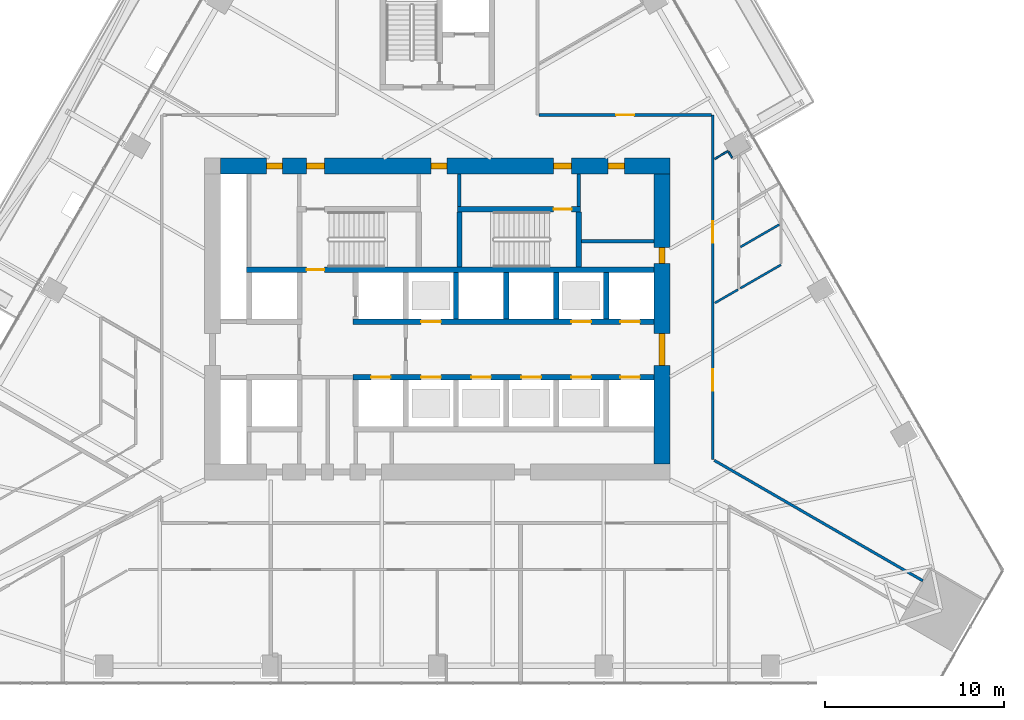
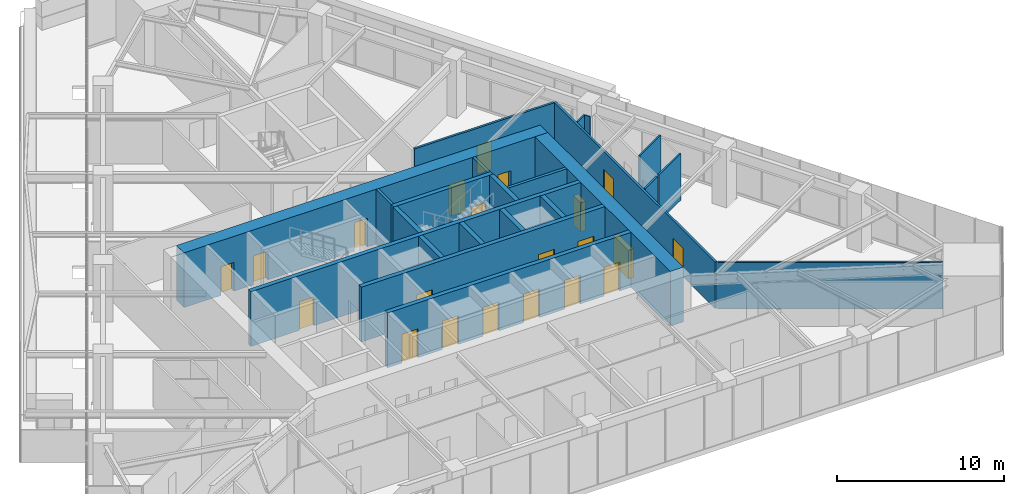
# One storey, part 20 of 26: 23 walls, 21 doors, 21 openings.
"""IFC4 building model written with IfcOpenShell, lengths in metres."""

import ifcopenshell
import ifcopenshell.guid

model = None  # the IFC model being written
_history = None  # IfcOwnerHistory: only IFC2X3 demands one
_inside = {}  # id of a spatial element -> (the spatial element, [elements in it])
_under = {}  # id of a project, library or spatial element -> (it, [spatial elements below it])
_declared = {}  # id of a project -> (the project, [libraries it declares])
_typed = {}  # id of a type object -> (the type object, [elements of that type])
_made_of = {}  # id of a material, layer set ... -> (it, [elements and type objects made of it])


def new_model(schema):
    """Start an empty IFC model of exactly this schema.

    Asked for "IFC4X3", IfcOpenShell would pick the latest addendum, in which some entities
    have other attributes; the version numbers below select the first issue.
    IFC2X3 requires an IfcOwnerHistory on every rooted entity: one is made here for all.
    """
    global model, _history
    if schema == "IFC4X3":
        model = ifcopenshell.file(schema_version=(4, 3, 0, 0))
    else:
        model = ifcopenshell.file(schema=schema)
    _inside.clear()
    _under.clear()
    _declared.clear()
    _typed.clear()
    _made_of.clear()
    _history = None
    if model.schema == "IFC2X3":
        org = make("IfcOrganization", Name="unknown")
        user = make(
            "IfcPersonAndOrganization",
            ThePerson=make("IfcPerson", FamilyName="unknown"),
            TheOrganization=org,
        )
        app = make(
            "IfcApplication",
            ApplicationDeveloper=org,
            Version="unknown",
            ApplicationFullName="unknown",
            ApplicationIdentifier="unknown",
        )
        _history = make(
            "IfcOwnerHistory",
            OwningUser=user,
            OwningApplication=app,
            ChangeAction="ADDED",
            CreationDate=0,
        )
    return model


def make(cls, **values):
    """One entity of the class cls with the attributes given. An attribute that is None is left unset."""
    return model.create_entity(
        cls, **{name: value for name, value in values.items() if value is not None}
    )


def rooted(cls, **values):
    """An entity with a GlobalId (a new one), such as an element, a storey or a relation."""
    return make(cls, GlobalId=ifcopenshell.guid.new(), OwnerHistory=_history, **values)


def si_unit(unit_type, name, prefix=None):
    """IfcSIUnit, for example si_unit("LENGTHUNIT", "METRE", prefix="MILLI")."""
    return make("IfcSIUnit", UnitType=unit_type, Prefix=prefix, Name=name)


def assignment(units):
    """IfcUnitAssignment: the units of a project."""
    return None if units is None else make("IfcUnitAssignment", Units=units)


def point(xyz):
    """IfcCartesianPoint."""
    return None if xyz is None else make("IfcCartesianPoint", Coordinates=xyz)


def direction(xyz):
    """IfcDirection."""
    return None if xyz is None else make("IfcDirection", DirectionRatios=xyz)


def frame(location, z_axis=None, x_axis=None):
    """IfcAxis2Placement3D, a coordinate frame: its origin and axes. An axis left out is left unset."""
    return make(
        "IfcAxis2Placement3D",
        Location=point(location),
        Axis=direction(z_axis),
        RefDirection=direction(x_axis),
    )


def frame_2d(location, x_axis=None):
    """IfcAxis2Placement2D, a coordinate frame in the plane: its origin and x axis."""
    return make(
        "IfcAxis2Placement2D", Location=point(location), RefDirection=direction(x_axis)
    )


def origin():
    """The frame at (0, 0, 0) with its axes left unset."""
    return frame((0.0, 0.0, 0.0))


def place(relative_to, where):
    """IfcLocalPlacement: puts the frame where relative to a parent placement (None: the world)."""
    return make(
        "IfcLocalPlacement", PlacementRelTo=relative_to, RelativePlacement=where
    )


def context(
    kind, dimensions, precision=None, world=None, true_north=None, identifier=None
):
    """IfcGeometricRepresentationContext, for example the 3D "Model" context."""
    return make(
        "IfcGeometricRepresentationContext",
        ContextIdentifier=identifier,
        ContextType=kind,
        CoordinateSpaceDimension=dimensions,
        Precision=precision,
        WorldCoordinateSystem=world,
        TrueNorth=true_north,
    )


def subcontext(parent, identifier, kind, view, scale=None):
    """IfcGeometricRepresentationSubContext, for example "Body" below "Model"."""
    return make(
        "IfcGeometricRepresentationSubContext",
        ContextIdentifier=identifier,
        ContextType=kind,
        ParentContext=parent,
        TargetScale=scale,
        TargetView=view,
    )


def project(units=None, contexts=None):
    """IfcProject with its units and contexts."""
    return rooted(
        "IfcProject",
        Name="project",
        RepresentationContexts=contexts,
        UnitsInContext=assignment(units),
    )


def spatial(cls, under=None, at=None, **own):
    """A site, building, storey or space (cls), placed at a placement, below another one or the project."""
    s = rooted(cls, ObjectPlacement=at, **own)
    if under is not None:
        _under.setdefault(under.id(), (under, []))[1].append(s)
    return s


def profile(cls, at=None, kind="AREA", **sizes):
    """A parametric profile (cls). Its sizes go by their IFC names, for example OverallWidth=200.0."""
    return make(cls, ProfileType=kind, Position=at, **sizes)


def rectangle(**sizes):
    """IfcRectangleProfileDef."""
    return profile("IfcRectangleProfileDef", **sizes)


def extrude(swept, where, along, depth):
    """IfcExtrudedAreaSolid: the profile swept, set in the frame where, extruded along a direction by depth."""
    return make(
        "IfcExtrudedAreaSolid",
        SweptArea=swept,
        Position=where,
        ExtrudedDirection=direction(along),
        Depth=depth,
    )


def shape(context_of_items, identifier, shape_type, items):
    """IfcShapeRepresentation: the items that make up one representation, for example the "Body"."""
    return make(
        "IfcShapeRepresentation",
        ContextOfItems=context_of_items,
        RepresentationIdentifier=identifier,
        RepresentationType=shape_type,
        Items=items,
    )


def material(Name=None, Category=None):
    """IfcMaterial."""
    return make("IfcMaterial", Name=Name, Category=Category)


def layer(
    of_material, thickness, ventilated=None, Name=None, Category=None, Priority=None
):
    """IfcMaterialLayer: one layer of a wall or slab, of a material (None: an air gap)."""
    return make(
        "IfcMaterialLayer",
        Material=of_material,
        LayerThickness=thickness,
        IsVentilated=ventilated,
        Name=Name,
        Category=Category,
        Priority=Priority,
    )


def layer_set(layers, Name=None):
    """IfcMaterialLayerSet."""
    return make("IfcMaterialLayerSet", MaterialLayers=layers, LayerSetName=Name)


def made_of(thing, what):
    """Note that an element or type object is made of a material, layer set ...; save() writes the relation."""
    if what is not None:
        _made_of.setdefault(what.id(), (what, []))[1].append(thing)
    return thing


def type_object(cls, material=None, **own):
    """A type object (cls), such as IfcWallType, which elements share."""
    return made_of(rooted(cls, **own), material)


def element(
    cls,
    number,
    at=None,
    inside=None,
    cuts=None,
    type_object=None,
    material=None,
    context=None,
    identifier="Body",
    shape_type=None,
    held_by="IfcProductDefinitionShape",
    body=None,
    shapes=None,
    **own,
):
    """One element of the class cls, such as IfcWall. Its Tag is "e" and its number.

    at: its placement. inside: the storey or other place that contains it. cuts: it is an
    opening in that element (IfcRelVoidsElement). A single representation is given by context,
    identifier, shape_type and body (its items); several are given by shapes. held_by: the class
    of the entity that holds the representations. save() writes the other relations.
    """
    e = rooted(cls, Tag="e%d" % number, ObjectPlacement=at, **own)
    if body is not None:
        shapes = [shape(context, identifier, shape_type, body)]
    if shapes is not None:
        e.Representation = make(held_by, Representations=shapes)
    if inside is not None:
        _inside.setdefault(inside.id(), (inside, []))[1].append(e)
    if cuts is not None:
        rooted(
            "IfcRelVoidsElement", RelatingBuildingElement=cuts, RelatedOpeningElement=e
        )
    if type_object is not None:
        _typed.setdefault(type_object.id(), (type_object, []))[1].append(e)
    return made_of(e, material)


def fill(opening, filler):
    """IfcRelFillsElement: the door or window that sits in an opening."""
    return rooted(
        "IfcRelFillsElement",
        RelatingOpeningElement=opening,
        RelatedBuildingElement=filler,
    )


def aggregate(whole, parts):
    """IfcRelAggregates: a whole, such as a stair, and the parts it consists of."""
    return rooted("IfcRelAggregates", RelatingObject=whole, RelatedObjects=parts)


def save(model, path):
    """Write the relations noted so far, then the file.

    IfcRelAggregates (storeys below a building ...), IfcRelContainedInSpatialStructure (elements
    in a storey), IfcRelDefinesByType, IfcRelAssociatesMaterial and IfcRelDeclares: one each for
    every whole, place, type object, material and project.
    """
    for whole, parts in _under.values():
        aggregate(whole, parts)
    for where, things in _inside.values():
        rooted(
            "IfcRelContainedInSpatialStructure",
            RelatedElements=things,
            RelatingStructure=where,
        )
    for kind, things in _typed.values():
        rooted("IfcRelDefinesByType", RelatedObjects=things, RelatingType=kind)
    for what, things in _made_of.values():
        rooted("IfcRelAssociatesMaterial", RelatedObjects=things, RelatingMaterial=what)
    for by, libraries in _declared.values():
        rooted("IfcRelDeclares", RelatingContext=by, RelatedDefinitions=libraries)
    model.write(path)


model = new_model("IFC4")

# Units and contexts
model_context = context("Model", 3, precision=1e-05, world=origin(), true_north=direction((0.0, 1.0)))
body_context = subcontext(model_context, "Body", "Model", "MODEL_VIEW")
ifc_project = project(units=[si_unit("LENGTHUNIT", "METRE"), si_unit("AREAUNIT", "SQUARE_METRE"), si_unit("VOLUMEUNIT", "CUBIC_METRE"), si_unit("PLANEANGLEUNIT", "RADIAN"), si_unit("MASSUNIT", "GRAM", prefix="KILO")], contexts=[model_context])

# Site, building, storey
site_placement = place(None, origin())
site = spatial("IfcSite", under=ifc_project, at=site_placement, CompositionType="ELEMENT")
building_placement = place(site_placement, origin())
building = spatial("IfcBuilding", under=site, at=building_placement, Name="Firuza Gate Tower and Library", CompositionType="ELEMENT")
storey_placement = place(building_placement, frame((0.0, 0.0, 115.60009765625)))
storey = spatial("IfcBuildingStorey", under=building, at=storey_placement, Name="L26", CompositionType="ELEMENT", Elevation=115.60009765625)

# Walls
ifc_material_1 = material(Name="Plasterboard on steel studs", Category="steel")
ifc_layer_1 = layer(ifc_material_1, 0.199951171875)
ifc_layer_set_1 = layer_set([ifc_layer_1], Name="Core partition 200 EI 60")
wall_type_1 = type_object("IfcWallType", Name="Core partition 200 EI 60", PredefinedType="PARTITIONING", material=ifc_layer_set_1)
wall_1_placement = place(storey_placement, frame((83.050048828125, 79.35498046875, 0.0), z_axis=(0.0, 0.0, 1.0), x_axis=(1.0, 0.0, 0.0)))
element("IfcWall", 1, at=wall_1_placement, inside=storey, type_object=wall_type_1, Name="Core partition L26 4", PredefinedType="PARTITIONING", context=body_context, shape_type="SweptSolid", body=[
    extrude(rectangle(XDim=4.050048828125, YDim=0.199951171875, at=frame_2d((2.02490234375, 0.0))), origin(), (0.0, 0.0, 1.0), 4.0),
])
for number, where, z_axis, x_axis, name in (
    (2, (76.239990234375, 81.280029296875, 0.0), (0.0, 0.0, 1.0), (0.0, 1.0, 0.0), "Core partition L26 15"),
    (3, (82.89990234375, 81.280029296875, 0.0), (0.0, 0.0, 1.0), (0.0, 1.0, 0.0), "Core partition L26 16"),
):
    element("IfcWall", number, at=place(storey_placement, frame(where, z_axis=z_axis, x_axis=x_axis)), inside=storey, type_object=wall_type_1, Name=name, PredefinedType="PARTITIONING", context=body_context, shape_type="SweptSolid", body=[
        extrude(rectangle(XDim=1.820068359375, YDim=0.199951171875, at=frame_2d((0.91015625, 0.0))), origin(), (0.0, 0.0, 1.0), 4.0),
    ])

# Wall, openings, doors
ifc_material_2 = material(Name="Concrete C80/95", Category="concrete")
ifc_layer_2 = layer(ifc_material_2, 0.300048828125)
ifc_layer_set_2 = layer_set([ifc_layer_2], Name="Core wall 300 C80/95")
wall_type_2 = type_object("IfcWallType", Name="Core wall 300 C80/95", PredefinedType="SHEAR", material=ifc_layer_set_2)
wall_2_placement = place(storey_placement, frame((70.300048828125, 71.75, 0.0), z_axis=(0.0, 0.0, 1.0), x_axis=(1.0, 0.0, 0.0)))
wall_2 = element("IfcWall", 4, at=wall_2_placement, inside=storey, type_object=wall_type_2, Name="Core wall L26 8", PredefinedType="SHEAR", context=body_context, shape_type="SweptSolid", body=[
    extrude(rectangle(XDim=16.800048828125, YDim=0.300048828125, at=frame_2d((8.39990234375, 0.0))), origin(), (0.0, 0.0, 1.0), 4.0),
])
opening_1_placement = place(wall_2_placement, frame((1.0, 0.0, 0.0)))
opening_1 = element("IfcOpeningElement", 5, at=opening_1_placement, cuts=wall_2, Name="Opening LD-FF1-L26", PredefinedType="OPENING", context=body_context, shape_type="SweptSolid", body=[
    extrude(rectangle(XDim=1.10009765625, YDim=2.10009765625, at=frame_2d((0.550048828125, 1.050048828125))), frame((0.0, 0.16015625, 0.0), z_axis=(0.0, -1.0, 0.0), x_axis=(1.0, 0.0, 0.0)), (0.0, 0.0, 1.0), 0.320068359375),
])
opening_2_placement = place(wall_2_placement, frame((3.800048828125, 0.0, 0.0)))
opening_2 = element("IfcOpeningElement", 6, at=opening_2_placement, cuts=wall_2, Name="Opening LD-LR1-L26", PredefinedType="OPENING", context=body_context, shape_type="SweptSolid", body=[
    extrude(rectangle(XDim=1.10009765625, YDim=2.10009765625, at=frame_2d((0.550048828125, 1.050048828125))), frame((0.0, 0.16015625, 0.0), z_axis=(0.0, -1.0, 0.0), x_axis=(1.0, 0.0, 0.0)), (0.0, 0.0, 1.0), 0.320068359375),
])
opening_3_placement = place(wall_2_placement, frame((6.60009765625, 0.0, 0.0)))
opening_3 = element("IfcOpeningElement", 7, at=opening_3_placement, cuts=wall_2, Name="Opening LD-LR2-L26", PredefinedType="OPENING", context=body_context, shape_type="SweptSolid", body=[
    extrude(rectangle(XDim=1.10009765625, YDim=2.10009765625, at=frame_2d((0.550048828125, 1.050048828125))), frame((0.0, 0.16015625, 0.0), z_axis=(0.0, -1.0, 0.0), x_axis=(1.0, 0.0, 0.0)), (0.0, 0.0, 1.0), 0.320068359375),
])
opening_4_placement = place(wall_2_placement, frame((9.39990234375, 0.0, 0.0)))
opening_4 = element("IfcOpeningElement", 8, at=opening_4_placement, cuts=wall_2, Name="Opening LD-LR3-L26", PredefinedType="OPENING", context=body_context, shape_type="SweptSolid", body=[
    extrude(rectangle(XDim=1.10009765625, YDim=2.10009765625, at=frame_2d((0.550048828125, 1.050048828125))), frame((0.0, 0.16015625, 0.0), z_axis=(0.0, -1.0, 0.0), x_axis=(1.0, 0.0, 0.0)), (0.0, 0.0, 1.0), 0.320068359375),
])
opening_5_placement = place(wall_2_placement, frame((12.199951171875, 0.0, 0.0)))
opening_5 = element("IfcOpeningElement", 9, at=opening_5_placement, cuts=wall_2, Name="Opening LD-LR5-L26", PredefinedType="OPENING", context=body_context, shape_type="SweptSolid", body=[
    extrude(rectangle(XDim=1.10009765625, YDim=2.10009765625, at=frame_2d((0.550048828125, 1.050048828125))), frame((0.0, 0.16015625, 0.0), z_axis=(0.0, -1.0, 0.0), x_axis=(1.0, 0.0, 0.0)), (0.0, 0.0, 1.0), 0.320068359375),
])
opening_6_placement = place(wall_2_placement, frame((14.925048828125, 0.0, 0.0)))
opening_6 = element("IfcOpeningElement", 10, at=opening_6_placement, cuts=wall_2, Name="Opening LD-LR7-L26", PredefinedType="OPENING", context=body_context, shape_type="SweptSolid", body=[
    extrude(rectangle(XDim=1.10009765625, YDim=2.10009765625, at=frame_2d((0.550048828125, 1.050048828125))), frame((0.0, 0.16015625, 0.0), z_axis=(0.0, -1.0, 0.0), x_axis=(1.0, 0.0, 0.0)), (0.0, 0.0, 1.0), 0.320068359375),
])
ifc_material_3 = material(Name="Stainless steel", Category="steel")
door_type_1 = type_object("IfcDoorType", Name="Lift landing door 1100x2100", OperationType="DOUBLE_DOOR_SLIDING", PredefinedType="DOOR", material=ifc_material_3)
door_1_placement = place(opening_1_placement, origin())
door_1 = element("IfcDoor", 11, at=door_1_placement, inside=storey, type_object=door_type_1, Name="Landing door FF1 L26", OperationType="DOUBLE_DOOR_SLIDING", OverallHeight=2.10009765625, OverallWidth=1.10009765625, PredefinedType="DOOR", context=body_context, shape_type="SweptSolid", body=[
    extrude(rectangle(XDim=1.10009765625, YDim=2.10009765625, at=frame_2d((0.550048828125, 1.050048828125))), frame((0.0, 0.02490234375, 0.0), z_axis=(0.0, -1.0, 0.0), x_axis=(1.0, 0.0, 0.0)), (0.0, 0.0, 1.0), 0.050048828125),
])
fill(opening_1, door_1)
door_2_placement = place(opening_2_placement, origin())
door_2 = element("IfcDoor", 12, at=door_2_placement, inside=storey, type_object=door_type_1, Name="Landing door LR1 L26", OperationType="DOUBLE_DOOR_SLIDING", OverallHeight=2.10009765625, OverallWidth=1.10009765625, PredefinedType="DOOR", context=body_context, shape_type="SweptSolid", body=[
    extrude(rectangle(XDim=1.10009765625, YDim=2.10009765625, at=frame_2d((0.550048828125, 1.050048828125))), frame((0.0, 0.02490234375, 0.0), z_axis=(0.0, -1.0, 0.0), x_axis=(1.0, 0.0, 0.0)), (0.0, 0.0, 1.0), 0.050048828125),
])
fill(opening_2, door_2)
door_3_placement = place(opening_3_placement, origin())
door_3 = element("IfcDoor", 13, at=door_3_placement, inside=storey, type_object=door_type_1, Name="Landing door LR2 L26", OperationType="DOUBLE_DOOR_SLIDING", OverallHeight=2.10009765625, OverallWidth=1.10009765625, PredefinedType="DOOR", context=body_context, shape_type="SweptSolid", body=[
    extrude(rectangle(XDim=1.10009765625, YDim=2.10009765625, at=frame_2d((0.550048828125, 1.050048828125))), frame((0.0, 0.02490234375, 0.0), z_axis=(0.0, -1.0, 0.0), x_axis=(1.0, 0.0, 0.0)), (0.0, 0.0, 1.0), 0.050048828125),
])
fill(opening_3, door_3)
door_4_placement = place(opening_4_placement, origin())
door_4 = element("IfcDoor", 14, at=door_4_placement, inside=storey, type_object=door_type_1, Name="Landing door LR3 L26", OperationType="DOUBLE_DOOR_SLIDING", OverallHeight=2.10009765625, OverallWidth=1.10009765625, PredefinedType="DOOR", context=body_context, shape_type="SweptSolid", body=[
    extrude(rectangle(XDim=1.10009765625, YDim=2.10009765625, at=frame_2d((0.550048828125, 1.050048828125))), frame((0.0, 0.02490234375, 0.0), z_axis=(0.0, -1.0, 0.0), x_axis=(1.0, 0.0, 0.0)), (0.0, 0.0, 1.0), 0.050048828125),
])
fill(opening_4, door_4)
door_5_placement = place(opening_5_placement, origin())
door_5 = element("IfcDoor", 15, at=door_5_placement, inside=storey, type_object=door_type_1, Name="Landing door LR5 L26", OperationType="DOUBLE_DOOR_SLIDING", OverallHeight=2.10009765625, OverallWidth=1.10009765625, PredefinedType="DOOR", context=body_context, shape_type="SweptSolid", body=[
    extrude(rectangle(XDim=1.10009765625, YDim=2.10009765625, at=frame_2d((0.550048828125, 1.050048828125))), frame((0.0, 0.02490234375, 0.0), z_axis=(0.0, -1.0, 0.0), x_axis=(1.0, 0.0, 0.0)), (0.0, 0.0, 1.0), 0.050048828125),
])
fill(opening_5, door_5)
door_6_placement = place(opening_6_placement, origin())
door_6 = element("IfcDoor", 16, at=door_6_placement, inside=storey, type_object=door_type_1, Name="Landing door LR7 L26", OperationType="DOUBLE_DOOR_SLIDING", OverallHeight=2.10009765625, OverallWidth=1.10009765625, PredefinedType="DOOR", context=body_context, shape_type="SweptSolid", body=[
    extrude(rectangle(XDim=1.10009765625, YDim=2.10009765625, at=frame_2d((0.550048828125, 1.050048828125))), frame((0.0, 0.02490234375, 0.0), z_axis=(0.0, -1.0, 0.0), x_axis=(1.0, 0.0, 0.0)), (0.0, 0.0, 1.0), 0.050048828125),
])
fill(opening_6, door_6)

wall_3_placement = place(storey_placement, frame((70.300048828125, 74.85009765625, 0.0), z_axis=(0.0, 0.0, 1.0), x_axis=(1.0, 0.0, 0.0)))
wall_3 = element("IfcWall", 17, at=wall_3_placement, inside=storey, type_object=wall_type_2, Name="Core wall L26 10", PredefinedType="SHEAR", context=body_context, shape_type="SweptSolid", body=[
    extrude(rectangle(XDim=16.800048828125, YDim=0.300048828125, at=frame_2d((8.39990234375, 0.0))), origin(), (0.0, 0.0, 1.0), 4.0),
])
opening_7_placement = place(wall_3_placement, frame((3.800048828125, 0.0, 0.0)))
opening_7 = element("IfcOpeningElement", 18, at=opening_7_placement, cuts=wall_3, Name="Opening LD-LR4-L26", PredefinedType="OPENING", context=body_context, shape_type="SweptSolid", body=[
    extrude(rectangle(XDim=1.10009765625, YDim=2.10009765625, at=frame_2d((0.550048828125, 1.050048828125))), frame((0.0, 0.16015625, 0.0), z_axis=(0.0, -1.0, 0.0), x_axis=(1.0, 0.0, 0.0)), (0.0, 0.0, 1.0), 0.320068359375),
])
opening_8_placement = place(wall_3_placement, frame((12.199951171875, 0.0, 0.0)))
opening_8 = element("IfcOpeningElement", 19, at=opening_8_placement, cuts=wall_3, Name="Opening LD-LR6-L26", PredefinedType="OPENING", context=body_context, shape_type="SweptSolid", body=[
    extrude(rectangle(XDim=1.10009765625, YDim=2.10009765625, at=frame_2d((0.550048828125, 1.050048828125))), frame((0.0, 0.16015625, 0.0), z_axis=(0.0, -1.0, 0.0), x_axis=(1.0, 0.0, 0.0)), (0.0, 0.0, 1.0), 0.320068359375),
])
opening_9_placement = place(wall_3_placement, frame((14.925048828125, 0.0, 0.0)))
opening_9 = element("IfcOpeningElement", 20, at=opening_9_placement, cuts=wall_3, Name="Opening LD-LR8-L26", PredefinedType="OPENING", context=body_context, shape_type="SweptSolid", body=[
    extrude(rectangle(XDim=1.10009765625, YDim=2.10009765625, at=frame_2d((0.550048828125, 1.050048828125))), frame((0.0, 0.16015625, 0.0), z_axis=(0.0, -1.0, 0.0), x_axis=(1.0, 0.0, 0.0)), (0.0, 0.0, 1.0), 0.320068359375),
])
door_7_placement = place(opening_7_placement, origin())
door_7 = element("IfcDoor", 21, at=door_7_placement, inside=storey, type_object=door_type_1, Name="Landing door LR4 L26", OperationType="DOUBLE_DOOR_SLIDING", OverallHeight=2.10009765625, OverallWidth=1.10009765625, PredefinedType="DOOR", context=body_context, shape_type="SweptSolid", body=[
    extrude(rectangle(XDim=1.10009765625, YDim=2.10009765625, at=frame_2d((0.550048828125, 1.050048828125))), frame((0.0, 0.02490234375, 0.0), z_axis=(0.0, -1.0, 0.0), x_axis=(1.0, 0.0, 0.0)), (0.0, 0.0, 1.0), 0.050048828125),
])
fill(opening_7, door_7)
door_8_placement = place(opening_8_placement, origin())
door_8 = element("IfcDoor", 22, at=door_8_placement, inside=storey, type_object=door_type_1, Name="Landing door LR6 L26", OperationType="DOUBLE_DOOR_SLIDING", OverallHeight=2.10009765625, OverallWidth=1.10009765625, PredefinedType="DOOR", context=body_context, shape_type="SweptSolid", body=[
    extrude(rectangle(XDim=1.10009765625, YDim=2.10009765625, at=frame_2d((0.550048828125, 1.050048828125))), frame((0.0, 0.02490234375, 0.0), z_axis=(0.0, -1.0, 0.0), x_axis=(1.0, 0.0, 0.0)), (0.0, 0.0, 1.0), 0.050048828125),
])
fill(opening_8, door_8)
door_9_placement = place(opening_9_placement, origin())
door_9 = element("IfcDoor", 23, at=door_9_placement, inside=storey, type_object=door_type_1, Name="Landing door LR8 L26", OperationType="DOUBLE_DOOR_SLIDING", OverallHeight=2.10009765625, OverallWidth=1.10009765625, PredefinedType="DOOR", context=body_context, shape_type="SweptSolid", body=[
    extrude(rectangle(XDim=1.10009765625, YDim=2.10009765625, at=frame_2d((0.550048828125, 1.050048828125))), frame((0.0, 0.02490234375, 0.0), z_axis=(0.0, -1.0, 0.0), x_axis=(1.0, 0.0, 0.0)), (0.0, 0.0, 1.0), 0.050048828125),
])
fill(opening_9, door_9)

# Walls
for number, where, z_axis, x_axis, name in (
    (24, (76.050048828125, 75.0, 0.0), (0.0, 0.0, 1.0), (0.0, 1.0, 0.0), "Core wall L26 20"),
    (25, (78.85009765625, 75.0, 0.0), (0.0, 0.0, 1.0), (0.0, 1.0, 0.0), "Core wall L26 22"),
    (26, (81.64990234375, 75.0, 0.0), (0.0, 0.0, 1.0), (0.0, 1.0, 0.0), "Core wall L26 24"),
    (27, (84.449951171875, 75.0, 0.0), (0.0, 0.0, 1.0), (0.0, 1.0, 0.0), "Core wall L26 26"),
):
    element("IfcWall", number, at=place(storey_placement, frame(where, z_axis=z_axis, x_axis=x_axis)), inside=storey, type_object=wall_type_2, Name=name, PredefinedType="SHEAR", context=body_context, shape_type="SweptSolid", body=[
        extrude(rectangle(XDim=2.60009765625, YDim=0.300048828125, at=frame_2d((1.300048828125, 0.0))), origin(), (0.0, 0.0, 1.0), 4.0),
    ])

# Wall, opening, door
wall_4_placement = place(storey_placement, frame((64.35009765625, 77.75, 0.0), z_axis=(0.0, 0.0, 1.0), x_axis=(1.0, 0.0, 0.0)))
wall_4 = element("IfcWall", 28, at=wall_4_placement, inside=storey, type_object=wall_type_2, Name="Core wall L26 27", PredefinedType="SHEAR", context=body_context, shape_type="SweptSolid", body=[
    extrude(rectangle(XDim=22.75, YDim=0.300048828125, at=frame_2d((11.375, 0.0))), origin(), (0.0, 0.0, 1.0), 4.0),
])
opening_10_placement = place(wall_4_placement, frame((3.344970703125, 0.0, 0.0)))
opening_10 = element("IfcOpeningElement", 29, at=opening_10_placement, cuts=wall_4, Name="Opening L26-K12", PredefinedType="OPENING", context=body_context, shape_type="SweptSolid", body=[
    extrude(rectangle(XDim=1.0, YDim=2.10009765625, at=frame_2d((0.5, 1.050048828125))), frame((0.0, 0.16015625, 0.0), z_axis=(0.0, -1.0, 0.0), x_axis=(1.0, 0.0, 0.0)), (0.0, 0.0, 1.0), 0.320068359375),
])
ifc_material_4 = material(Name="Steel", Category="steel")
door_type_2 = type_object("IfcDoorType", Name="Fire door 1000x2100 FD90", OperationType="NOTDEFINED", PredefinedType="DOOR", material=ifc_material_4)
door_10_placement = place(opening_10_placement, origin())
door_10 = element("IfcDoor", 30, at=door_10_placement, inside=storey, type_object=door_type_2, Name="Door L26-K12", OperationType="SINGLE_SWING_LEFT", OverallHeight=2.10009765625, OverallWidth=1.0, PredefinedType="DOOR", context=body_context, shape_type="SweptSolid", body=[
    extrude(rectangle(XDim=1.0, YDim=2.10009765625, at=frame_2d((0.5, 1.050048828125))), frame((0.0, 0.02490234375, 0.0), z_axis=(0.0, -1.0, 0.0), x_axis=(1.0, 0.0, 0.0)), (0.0, 0.0, 1.0), 0.050048828125),
])
fill(opening_10, door_10)

wall_5_placement = place(storey_placement, frame((76.139892578125, 81.1298828125, 0.0), z_axis=(0.0, 0.0, 1.0), x_axis=(1.0, 0.0, 0.0)))
wall_5 = element("IfcWall", 31, at=wall_5_placement, inside=storey, type_object=wall_type_2, Name="Core wall L26 29", PredefinedType="SHEAR", context=body_context, shape_type="SweptSolid", body=[
    extrude(rectangle(XDim=6.860107421875, YDim=0.300048828125, at=frame_2d((3.43017578125, 0.0))), origin(), (0.0, 0.0, 1.0), 4.0),
])
opening_11_placement = place(wall_5_placement, frame((5.364990234375, 0.0, 0.0)))
opening_11 = element("IfcOpeningElement", 32, at=opening_11_placement, cuts=wall_5, Name="Opening L26-K15", PredefinedType="OPENING", context=body_context, shape_type="SweptSolid", body=[
    extrude(rectangle(XDim=1.0, YDim=2.10009765625, at=frame_2d((0.5, 1.050048828125))), frame((0.0, 0.16015625, 0.0), z_axis=(0.0, -1.0, 0.0), x_axis=(1.0, 0.0, 0.0)), (0.0, 0.0, 1.0), 0.320068359375),
])
door_11_placement = place(opening_11_placement, origin())
door_11 = element("IfcDoor", 33, at=door_11_placement, inside=storey, type_object=door_type_2, Name="Door L26-K15", OperationType="SINGLE_SWING_RIGHT", OverallHeight=2.10009765625, OverallWidth=1.0, PredefinedType="DOOR", context=body_context, shape_type="SweptSolid", body=[
    extrude(rectangle(XDim=1.0, YDim=2.10009765625, at=frame_2d((0.5, 1.050048828125))), frame((0.0, 0.02490234375, 0.0), z_axis=(0.0, -1.0, 0.0), x_axis=(1.0, 0.0, 0.0)), (0.0, 0.0, 1.0), 0.050048828125),
])
fill(opening_11, door_11)

# Walls
for number, where, z_axis, x_axis, name in (
    (34, (76.239990234375, 77.89990234375, 0.0), (0.0, 0.0, 1.0), (0.0, 1.0, 0.0), "Core wall L26 32"),
    (35, (82.89990234375, 77.89990234375, 0.0), (0.0, 0.0, 1.0), (0.0, 1.0, 0.0), "Core wall L26 33"),
):
    element("IfcWall", number, at=place(storey_placement, frame(where, z_axis=z_axis, x_axis=x_axis)), inside=storey, type_object=wall_type_2, Name=name, PredefinedType="SHEAR", context=body_context, shape_type="SweptSolid", body=[
        extrude(rectangle(XDim=3.080078125, YDim=0.300048828125, at=frame_2d((1.5400390625, 0.0))), origin(), (0.0, 0.0, 1.0), 4.0),
    ])

# Wall, openings, doors
ifc_material_5 = material(Name="Concrete C80/95", Category="concrete")
ifc_layer_3 = layer(ifc_material_5, 0.89990234375)
ifc_layer_set_3 = layer_set([ifc_layer_3], Name="Core wall 900 C80/95")
wall_type_3 = type_object("IfcWallType", Name="Core wall 900 C80/95", PredefinedType="SHEAR", material=ifc_layer_set_3)
wall_6_placement = place(storey_placement, frame((62.89990234375, 83.550048828125, 0.0), z_axis=(0.0, 0.0, 1.0), x_axis=(1.0, 0.0, 0.0)))
wall_6 = element("IfcWall", 36, at=wall_6_placement, inside=storey, type_object=wall_type_3, Name="Core wall L26 2", PredefinedType="SHEAR", context=body_context, shape_type="SweptSolid", body=[
    extrude(rectangle(XDim=25.10009765625, YDim=0.89990234375, at=frame_2d((12.550048828125, 0.0))), origin(), (0.0, 0.0, 1.0), 4.0),
])
opening_12_placement = place(wall_6_placement, frame((4.794921875, 0.0, 0.0)))
opening_12 = element("IfcOpeningElement", 37, at=opening_12_placement, cuts=wall_6, Name="Opening L26-K14", PredefinedType="OPENING", context=body_context, shape_type="SweptSolid", body=[
    extrude(rectangle(XDim=1.0, YDim=2.10009765625, at=frame_2d((0.5, 1.050048828125))), frame((0.0, 0.4599609375, 0.0), z_axis=(0.0, -1.0, 0.0), x_axis=(1.0, 0.0, 0.0)), (0.0, 0.0, 1.0), 0.919921875),
])
opening_13_placement = place(wall_6_placement, frame((18.60498046875, 0.0, 0.0)))
opening_13 = element("IfcOpeningElement", 38, at=opening_13_placement, cuts=wall_6, Name="Opening L26-K16", PredefinedType="OPENING", context=body_context, shape_type="SweptSolid", body=[
    extrude(rectangle(XDim=1.0, YDim=2.10009765625, at=frame_2d((0.5, 1.050048828125))), frame((0.0, 0.4599609375, 0.0), z_axis=(0.0, -1.0, 0.0), x_axis=(1.0, 0.0, 0.0)), (0.0, 0.0, 1.0), 0.919921875),
])
opening_14_placement = place(wall_6_placement, frame((2.550048828125, 0.0, 0.0)))
opening_14 = element("IfcOpeningElement", 39, at=opening_14_placement, cuts=wall_6, Name="Opening L26-K29", PredefinedType="OPENING", context=body_context, shape_type="SweptSolid", body=[
    extrude(rectangle(XDim=0.89990234375, YDim=2.10009765625, at=frame_2d((0.449951171875, 1.050048828125))), frame((0.0, 0.4599609375, 0.0), z_axis=(0.0, -1.0, 0.0), x_axis=(1.0, 0.0, 0.0)), (0.0, 0.0, 1.0), 0.919921875),
])
opening_15_placement = place(wall_6_placement, frame((11.75, 0.0, 0.0)))
opening_15 = element("IfcOpeningElement", 40, at=opening_15_placement, cuts=wall_6, Name="Opening L26-K30", PredefinedType="OPENING", context=body_context, shape_type="SweptSolid", body=[
    extrude(rectangle(XDim=0.89990234375, YDim=2.10009765625, at=frame_2d((0.449951171875, 1.050048828125))), frame((0.0, 0.4599609375, 0.0), z_axis=(0.0, -1.0, 0.0), x_axis=(1.0, 0.0, 0.0)), (0.0, 0.0, 1.0), 0.919921875),
])
opening_16_placement = place(wall_6_placement, frame((21.64990234375, 0.0, 0.0)))
opening_16 = element("IfcOpeningElement", 41, at=opening_16_placement, cuts=wall_6, Name="Opening L26-K32", PredefinedType="OPENING", context=body_context, shape_type="SweptSolid", body=[
    extrude(rectangle(XDim=0.89990234375, YDim=2.10009765625, at=frame_2d((0.449951171875, 1.050048828125))), frame((0.0, 0.4599609375, 0.0), z_axis=(0.0, -1.0, 0.0), x_axis=(1.0, 0.0, 0.0)), (0.0, 0.0, 1.0), 0.919921875),
])
door_12_placement = place(opening_12_placement, origin())
door_12 = element("IfcDoor", 42, at=door_12_placement, inside=storey, type_object=door_type_2, Name="Door L26-K14", OperationType="SINGLE_SWING_LEFT", OverallHeight=2.10009765625, OverallWidth=1.0, PredefinedType="DOOR", context=body_context, shape_type="SweptSolid", body=[
    extrude(rectangle(XDim=1.0, YDim=2.10009765625, at=frame_2d((0.5, 1.050048828125))), frame((0.0, 0.169921875, 0.0), z_axis=(0.0, -1.0, 0.0), x_axis=(1.0, 0.0, 0.0)), (0.0, 0.0, 1.0), 0.33984375),
])
fill(opening_12, door_12)
door_13_placement = place(opening_13_placement, origin())
door_13 = element("IfcDoor", 43, at=door_13_placement, inside=storey, type_object=door_type_2, Name="Door L26-K16", OperationType="SINGLE_SWING_LEFT", OverallHeight=2.10009765625, OverallWidth=1.0, PredefinedType="DOOR", context=body_context, shape_type="SweptSolid", body=[
    extrude(rectangle(XDim=1.0, YDim=2.10009765625, at=frame_2d((0.5, 1.050048828125))), frame((0.0, 0.169921875, 0.0), z_axis=(0.0, -1.0, 0.0), x_axis=(1.0, 0.0, 0.0)), (0.0, 0.0, 1.0), 0.33984375),
])
fill(opening_13, door_13)
ifc_material_6 = material(Name="Steel", Category="steel")
door_type_3 = type_object("IfcDoorType", Name="Fire door 900x2100 FD30S", OperationType="NOTDEFINED", PredefinedType="DOOR", material=ifc_material_6)
door_14_placement = place(opening_14_placement, origin())
door_14 = element("IfcDoor", 44, at=door_14_placement, inside=storey, type_object=door_type_3, Name="Door L26-K29", OperationType="SINGLE_SWING_RIGHT", OverallHeight=2.10009765625, OverallWidth=0.89990234375, PredefinedType="DOOR", context=body_context, shape_type="SweptSolid", body=[
    extrude(rectangle(XDim=0.89990234375, YDim=2.10009765625, at=frame_2d((0.449951171875, 1.050048828125))), frame((0.0, 0.169921875, 0.0), z_axis=(0.0, -1.0, 0.0), x_axis=(1.0, 0.0, 0.0)), (0.0, 0.0, 1.0), 0.33984375),
])
fill(opening_14, door_14)
door_15_placement = place(opening_15_placement, origin())
door_15 = element("IfcDoor", 45, at=door_15_placement, inside=storey, type_object=door_type_3, Name="Door L26-K30", OperationType="SINGLE_SWING_LEFT", OverallHeight=2.10009765625, OverallWidth=0.89990234375, PredefinedType="DOOR", context=body_context, shape_type="SweptSolid", body=[
    extrude(rectangle(XDim=0.89990234375, YDim=2.10009765625, at=frame_2d((0.449951171875, 1.050048828125))), frame((0.0, 0.169921875, 0.0), z_axis=(0.0, -1.0, 0.0), x_axis=(1.0, 0.0, 0.0)), (0.0, 0.0, 1.0), 0.33984375),
])
fill(opening_15, door_15)
door_16_placement = place(opening_16_placement, origin())
door_16 = element("IfcDoor", 46, at=door_16_placement, inside=storey, type_object=door_type_3, Name="Door L26-K32", OperationType="SINGLE_SWING_LEFT", OverallHeight=2.10009765625, OverallWidth=0.89990234375, PredefinedType="DOOR", context=body_context, shape_type="SweptSolid", body=[
    extrude(rectangle(XDim=0.89990234375, YDim=2.10009765625, at=frame_2d((0.449951171875, 1.050048828125))), frame((0.0, 0.169921875, 0.0), z_axis=(0.0, -1.0, 0.0), x_axis=(1.0, 0.0, 0.0)), (0.0, 0.0, 1.0), 0.33984375),
])
fill(opening_16, door_16)

wall_7_placement = place(storey_placement, frame((87.550048828125, 66.89990234375, 0.0), z_axis=(0.0, 0.0, 1.0), x_axis=(0.0, 1.0, 0.0)))
wall_7 = element("IfcWall", 47, at=wall_7_placement, inside=storey, type_object=wall_type_3, Name="Core wall L26 4", PredefinedType="SHEAR", context=body_context, shape_type="SweptSolid", body=[
    extrude(rectangle(XDim=16.2001953125, YDim=0.89990234375, at=frame_2d((8.10009765625, 0.0))), origin(), (0.0, 0.0, 1.0), 4.0),
])
opening_17_placement = place(wall_7_placement, frame((5.5, 0.0, 0.0)))
opening_17 = element("IfcOpeningElement", 48, at=opening_17_placement, cuts=wall_7, Name="Opening L26-K23", PredefinedType="OPENING", context=body_context, shape_type="SweptSolid", body=[
    extrude(rectangle(XDim=1.800048828125, YDim=2.10009765625, at=frame_2d((0.89990234375, 1.050048828125))), frame((0.0, 0.4599609375, 0.0), z_axis=(0.0, -1.0, 0.0), x_axis=(1.0, 0.0, 0.0)), (0.0, 0.0, 1.0), 0.919921875),
])
opening_18_placement = place(wall_7_placement, frame((11.202392578125, 0.0, 0.0)))
opening_18 = element("IfcOpeningElement", 49, at=opening_18_placement, cuts=wall_7, Name="Opening L26-K31", PredefinedType="OPENING", context=body_context, shape_type="SweptSolid", body=[
    extrude(rectangle(XDim=0.89990234375, YDim=2.10009765625, at=frame_2d((0.449951171875, 1.050048828125))), frame((0.0, 0.4599609375, 0.0), z_axis=(0.0, -1.0, 0.0), x_axis=(1.0, 0.0, 0.0)), (0.0, 0.0, 1.0), 0.919921875),
])
ifc_material_7 = material(Name="Steel", Category="steel")
door_type_4 = type_object("IfcDoorType", Name="Fire door 1800x2100 FD30S", OperationType="NOTDEFINED", PredefinedType="DOOR", material=ifc_material_7)
door_17_placement = place(opening_17_placement, origin())
door_17 = element("IfcDoor", 50, at=door_17_placement, inside=storey, type_object=door_type_4, Name="Door L26-K23", OperationType="SINGLE_SWING_RIGHT", OverallHeight=2.10009765625, OverallWidth=1.800048828125, PredefinedType="DOOR", context=body_context, shape_type="SweptSolid", body=[
    extrude(rectangle(XDim=1.800048828125, YDim=2.10009765625, at=frame_2d((0.89990234375, 1.050048828125))), frame((0.0, 0.169921875, 0.0), z_axis=(0.0, -1.0, 0.0), x_axis=(1.0, 0.0, 0.0)), (0.0, 0.0, 1.0), 0.33984375),
])
fill(opening_17, door_17)
door_18_placement = place(opening_18_placement, origin())
door_18 = element("IfcDoor", 51, at=door_18_placement, inside=storey, type_object=door_type_3, Name="Door L26-K31", OperationType="SINGLE_SWING_RIGHT", OverallHeight=2.10009765625, OverallWidth=0.89990234375, PredefinedType="DOOR", context=body_context, shape_type="SweptSolid", body=[
    extrude(rectangle(XDim=0.89990234375, YDim=2.10009765625, at=frame_2d((0.449951171875, 1.050048828125))), frame((0.0, 0.169921875, 0.0), z_axis=(0.0, -1.0, 0.0), x_axis=(1.0, 0.0, 0.0)), (0.0, 0.0, 1.0), 0.33984375),
])
fill(opening_18, door_18)

# Wall, opening, door
ifc_material_8 = material(Name="Gypsum board partition")
ifc_layer_4 = layer(ifc_material_8, 0.14990234375)
ifc_layer_set_4 = layer_set([ifc_layer_4], Name="Corridor wall 150 double board on steel studs")
wall_type_4 = type_object("IfcWallType", Name="Corridor wall 150 double board on steel studs", PredefinedType="PARTITIONING", material=ifc_layer_set_4)
wall_8_placement = place(storey_placement, frame((80.675048828125, 86.39990234375, 0.0), z_axis=(0.0, 0.0, 1.0), x_axis=(1.0, 0.0, 0.0)))
wall_8 = element("IfcWall", 52, at=wall_8_placement, inside=storey, type_object=wall_type_4, Name="f:L26:w006", PredefinedType="PARTITIONING", context=body_context, shape_type="SweptSolid", body=[
    extrude(rectangle(XDim=9.6494140625, YDim=0.14990234375, at=frame_2d((4.82470703125, 0.0))), origin(), (0.0, 0.0, 1.0), 3.39990234375),
])
opening_19_placement = place(wall_8_placement, frame((4.32470703125, 0.0, 0.0)))
opening_19 = element("IfcOpeningElement", 53, at=opening_19_placement, cuts=wall_8, Name="Opening L26-12", PredefinedType="OPENING", context=body_context, shape_type="SweptSolid", body=[
    extrude(rectangle(XDim=1.0, YDim=2.10009765625, at=frame_2d((0.5, 1.050048828125))), frame((0.0, 0.0849609375, 0.0), z_axis=(0.0, -1.0, 0.0), x_axis=(1.0, 0.0, 0.0)), (0.0, 0.0, 1.0), 0.169921875),
])
ifc_material_9 = material(Name="Steel door and timber leaf", Category="steel")
door_type_5 = type_object("IfcDoorType", Name="Fire door 1000 x 2100 steel frame, timber leaf", OperationType="NOTDEFINED", PredefinedType="DOOR", material=ifc_material_9)
door_19_placement = place(opening_19_placement, origin())
door_19 = element("IfcDoor", 54, at=door_19_placement, inside=storey, type_object=door_type_5, Name="f:L26:d012", OperationType="SINGLE_SWING_RIGHT", OverallHeight=2.10009765625, OverallWidth=1.0, PredefinedType="DOOR", context=body_context, shape_type="SweptSolid", body=[
    extrude(rectangle(XDim=1.0, YDim=2.10009765625, at=frame_2d((0.5, 1.050048828125))), frame((0.0, 0.02490234375, 0.0), z_axis=(0.0, -1.0, 0.0), x_axis=(1.0, 0.0, 0.0)), (0.0, 0.0, 1.0), 0.050048828125),
])
fill(opening_19, door_19)

# Wall, openings, doors
wall_9_placement = place(storey_placement, frame((90.39990234375, 86.3994140625, 0.0), z_axis=(0.0, 0.0, 1.0), x_axis=(0.0, -1.0, 0.0)))
wall_9 = element("IfcWall", 55, at=wall_9_placement, inside=storey, type_object=wall_type_4, Name="f:L26:w029", PredefinedType="PARTITIONING", context=body_context, shape_type="SweptSolid", body=[
    extrude(rectangle(XDim=19.25146484375, YDim=0.14990234375, at=frame_2d((9.625732421875, 0.0))), origin(), (0.0, 0.0, 1.0), 3.39990234375),
])
opening_20_placement = place(wall_9_placement, frame((5.937255859375, 0.0, 0.0)))
opening_20 = element("IfcOpeningElement", 56, at=opening_20_placement, cuts=wall_9, Name="Opening L26-22", PredefinedType="OPENING", context=body_context, shape_type="SweptSolid", body=[
    extrude(rectangle(XDim=1.199951171875, YDim=2.10009765625, at=frame_2d((0.60009765625, 1.050048828125))), frame((0.0, 0.0849609375, 0.0), z_axis=(0.0, -1.0, 0.0), x_axis=(1.0, 0.0, 0.0)), (0.0, 0.0, 1.0), 0.169921875),
])
opening_21_placement = place(wall_9_placement, frame((14.207275390625, 0.0, 0.0)))
opening_21 = element("IfcOpeningElement", 57, at=opening_21_placement, cuts=wall_9, Name="Opening L26-23", PredefinedType="OPENING", context=body_context, shape_type="SweptSolid", body=[
    extrude(rectangle(XDim=1.199951171875, YDim=2.10009765625, at=frame_2d((0.60009765625, 1.050048828125))), frame((0.0, 0.0849609375, 0.0), z_axis=(0.0, -1.0, 0.0), x_axis=(1.0, 0.0, 0.0)), (0.0, 0.0, 1.0), 0.169921875),
])
ifc_material_10 = material(Name="Steel door and timber leaf", Category="steel")
door_type_6 = type_object("IfcDoorType", Name="Fire door 1200 x 2100 steel frame, double leaf", OperationType="NOTDEFINED", PredefinedType="DOOR", material=ifc_material_10)
door_20_placement = place(opening_20_placement, origin())
door_20 = element("IfcDoor", 58, at=door_20_placement, inside=storey, type_object=door_type_6, Name="f:L26:d022", OperationType="DOUBLE_DOOR_SINGLE_SWING", OverallHeight=2.10009765625, OverallWidth=1.199951171875, PredefinedType="DOOR", context=body_context, shape_type="SweptSolid", body=[
    extrude(rectangle(XDim=1.199951171875, YDim=2.10009765625, at=frame_2d((0.60009765625, 1.050048828125))), frame((0.0, 0.02490234375, 0.0), z_axis=(0.0, -1.0, 0.0), x_axis=(1.0, 0.0, 0.0)), (0.0, 0.0, 1.0), 0.050048828125),
])
fill(opening_20, door_20)
door_21_placement = place(opening_21_placement, origin())
door_21 = element("IfcDoor", 59, at=door_21_placement, inside=storey, type_object=door_type_6, Name="f:L26:d023", OperationType="DOUBLE_DOOR_SINGLE_SWING", OverallHeight=2.10009765625, OverallWidth=1.199951171875, PredefinedType="DOOR", context=body_context, shape_type="SweptSolid", body=[
    extrude(rectangle(XDim=1.199951171875, YDim=2.10009765625, at=frame_2d((0.60009765625, 1.050048828125))), frame((0.0, 0.02490234375, 0.0), z_axis=(0.0, -1.0, 0.0), x_axis=(1.0, 0.0, 0.0)), (0.0, 0.0, 1.0), 0.050048828125),
])
fill(opening_21, door_21)

# Walls
wall_10_placement = place(storey_placement, frame((102.134033203125, 60.37353515625, 0.0), z_axis=(0.0, 0.0, 1.0), x_axis=(-0.86602824724, 0.499995074959, 0.0)))
element("IfcWall", 60, at=wall_10_placement, inside=storey, type_object=wall_type_4, Name="f:L26:w054", PredefinedType="PARTITIONING", context=body_context, shape_type="SweptSolid", body=[
    extrude(rectangle(XDim=13.462646484375, YDim=0.14990234375, at=frame_2d((6.7314453125, 0.0))), origin(), (0.0, 0.0, 1.0), 3.39990234375),
])
ifc_material_11 = material(Name="Gypsum board partition")
ifc_layer_5 = layer(ifc_material_11, 0.10009765625)
ifc_layer_set_5 = layer_set([ifc_layer_5], Name="Partition 100 gypsum board on steel studs")
wall_type_5 = type_object("IfcWallType", Name="Partition 100 gypsum board on steel studs", PredefinedType="PARTITIONING", material=ifc_layer_set_5)
wall_11_placement = place(storey_placement, frame((90.5009765625, 83.94970703125, 0.0), z_axis=(0.0, 0.0, 1.0), x_axis=(0.866069322143, 0.499923923456, 0.0)))
element("IfcWall", 61, at=wall_11_placement, inside=storey, type_object=wall_type_5, Name="f:L26:w016", PredefinedType="PARTITIONING", context=body_context, shape_type="SweptSolid", body=[
    extrude(rectangle(XDim=0.874267578125, YDim=0.10009765625, at=frame_2d((0.43701171875, 0.0))), origin(), (0.0, 0.0, 1.0), 3.39990234375),
])
wall_12_placement = place(storey_placement, frame((91.478515625, 84.00634765625, 0.0), z_axis=(0.0, 0.0, 1.0), x_axis=(-0.499649997908, 0.866227383307, 0.0)))
element("IfcWall", 62, at=wall_12_placement, inside=storey, type_object=wall_type_5, Name="f:L26:w048", PredefinedType="PARTITIONING", context=body_context, shape_type="SweptSolid", body=[
    extrude(rectangle(XDim=0.388916015625, YDim=0.10009765625, at=frame_2d((0.1943359375, 0.0))), origin(), (0.0, 0.0, 1.0), 3.39990234375),
])
ifc_material_12 = material(Name="Gypsum board partition")
ifc_layer_6 = layer(ifc_material_12, 0.1201171875)
ifc_layer_set_6 = layer_set([ifc_layer_6], Name="Wet-area partition 120 moisture-resistant board")
wall_type_6 = type_object("IfcWallType", Name="Wet-area partition 120 moisture-resistant board", PredefinedType="PARTITIONING", material=ifc_layer_set_6)
wall_13_placement = place(storey_placement, frame((90.509765625, 75.89599609375, 0.0), z_axis=(0.0, 0.0, 1.0), x_axis=(0.866055123991, 0.49994851956, 0.0)))
element("IfcWall", 63, at=wall_13_placement, inside=storey, type_object=wall_type_6, Name="f:L26:w010", PredefinedType="PARTITIONING", context=body_context, shape_type="SweptSolid", body=[
    extrude(rectangle(XDim=1.495849609375, YDim=0.1201171875, at=frame_2d((0.748046875, 0.0))), origin(), (0.0, 0.0, 1.0), 3.39990234375),
])
wall_14_placement = place(storey_placement, frame((91.944580078125, 79.02685546875, 0.0), z_axis=(0.0, 0.0, 1.0), x_axis=(0.86603079437, 0.499990663115, 0.0)))
element("IfcWall", 64, at=wall_14_placement, inside=storey, type_object=wall_type_6, Name="f:L26:w011", PredefinedType="PARTITIONING", context=body_context, shape_type="SweptSolid", body=[
    extrude(rectangle(XDim=2.4951171875, YDim=0.1201171875, at=frame_2d((1.24755859375, 0.0))), origin(), (0.0, 0.0, 1.0), 3.39990234375),
])
wall_15_placement = place(storey_placement, frame((91.93994140625, 76.7216796875, 0.0), z_axis=(0.0, 0.0, 1.0), x_axis=(0.866006422342, 0.500032875382, 0.0)))
element("IfcWall", 65, at=wall_15_placement, inside=storey, type_object=wall_type_6, Name="f:L26:w063", PredefinedType="PARTITIONING", context=body_context, shape_type="SweptSolid", body=[
    extrude(rectangle(XDim=2.609619140625, YDim=0.1201171875, at=frame_2d((1.3046875, 0.0))), origin(), (0.0, 0.0, 1.0), 3.39990234375),
])

save(model, "model.ifc")
